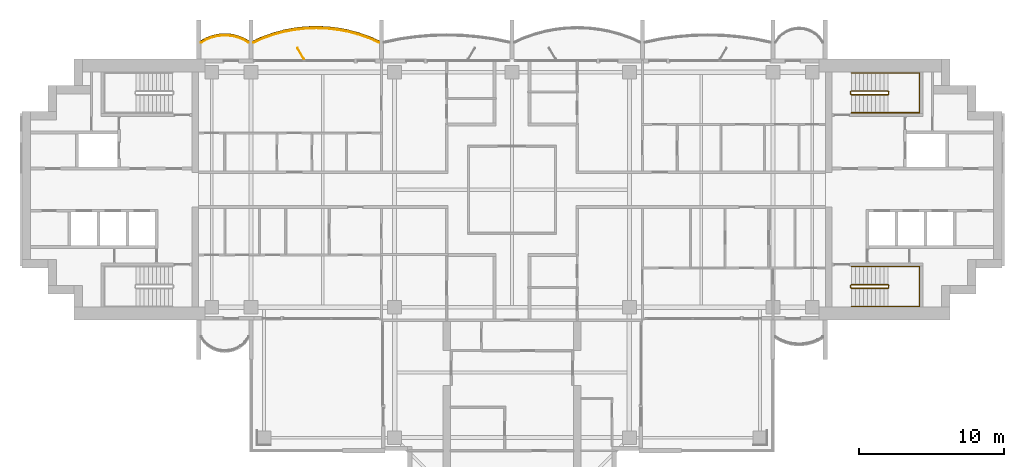
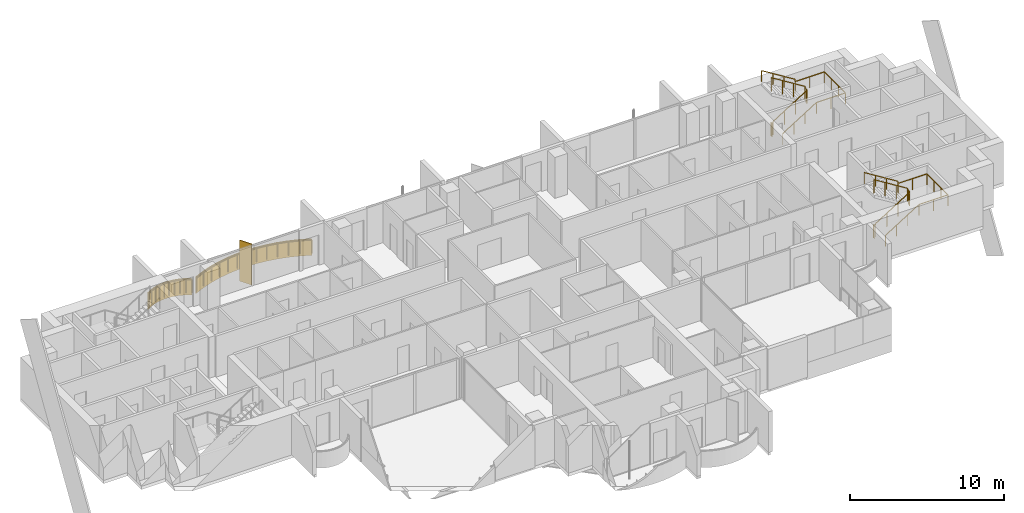
# One storey, part 17 of 18: 6 railings, 2 coverings, 1 shading device.
"""IFC4 building model written with IfcOpenShell, lengths in metres."""

from ifc_helpers import new_model, si_unit, direction, frame, origin, origin_2d, place, context, subcontext, project, spatial, polyline, rectangle, outline, extrude, material, layer, layer_set, type_object, element, save


model = new_model("IFC4")

# Units and contexts
model_context = context("Model", 3, precision=1e-05, world=origin(), true_north=direction((0.0, 1.0)))
body_context = subcontext(model_context, "Body", "Model", "MODEL_VIEW")
ifc_project = project(units=[si_unit("LENGTHUNIT", "METRE"), si_unit("AREAUNIT", "SQUARE_METRE"), si_unit("VOLUMEUNIT", "CUBIC_METRE"), si_unit("PLANEANGLEUNIT", "RADIAN"), si_unit("MASSUNIT", "GRAM", prefix="KILO")], contexts=[model_context])

# Site, building, storey
site_placement = place(None, origin())
site = spatial("IfcSite", under=ifc_project, at=site_placement, CompositionType="ELEMENT")
building_placement = place(site_placement, origin())
building = spatial("IfcBuilding", under=site, at=building_placement, Name="Perihelion Cross Residences", CompositionType="ELEMENT")
storey_placement = place(building_placement, frame((0.0, 0.0, 215.60009765625)))
storey = spatial("IfcBuildingStorey", under=building, at=storey_placement, Name="L54", CompositionType="ELEMENT", Elevation=215.60009765625)

# Coverings
ifc_material_1 = material(Name="Bronze anodised aluminium", Category="aluminium")
ifc_layer_1 = layer(ifc_material_1, 0.070068359375)
ifc_layer_set_1 = layer_set([ifc_layer_1], Name="Balcony fascia 1300")
covering_type = type_object("IfcCoveringType", Name="Balcony fascia 1300", PredefinedType="CLADDING", material=ifc_layer_set_1)
covering_1_placement = place(storey_placement, frame((0.0, 0.0, -0.2001953125)))
element("IfcCovering", 1, at=covering_1_placement, inside=storey, type_object=covering_type, Name="Fascia BF1 L54 west side north bay 1", PredefinedType="CLADDING", context=body_context, shape_type="SweptSolid", body=[
    extrude(outline(polyline([(-9.849365234375, 10.582275390625), (-10.57958984375, 10.83544921875), (-11.309814453125, 11.028076171875), (-12.039794921875, 11.1630859375), (-12.77001953125, 11.243408203125), (-13.5, 11.27001953125), (-14.22998046875, 11.243408203125), (-14.960205078125, 11.1630859375), (-15.690185546875, 11.028076171875), (-16.42041015625, 10.83544921875), (-17.150634765625, 10.582275390625), (-17.85009765625, 10.2763671875), (-17.85009765625, 10.199951171875), (-17.125, 10.51708984375), (-16.39990234375, 10.7685546875), (-15.675048828125, 10.959716796875), (-14.949951171875, 11.093994140625), (-14.22509765625, 11.173583984375), (-13.5, 11.199951171875), (-12.77490234375, 11.173583984375), (-12.050048828125, 11.093994140625), (-11.324951171875, 10.959716796875), (-10.60009765625, 10.7685546875), (-9.875, 10.51708984375), (-9.14990234375, 10.199951171875), (-9.14990234375, 10.2763671875), (-9.849365234375, 10.582275390625)])), origin(), (0.0, 0.0, 1.0), 1.300048828125),
])
covering_2_placement = place(storey_placement, frame((0.0, 0.0, -0.2001953125)))
element("IfcCovering", 2, at=covering_2_placement, inside=storey, type_object=covering_type, Name="Fascia BF1 L54 west side north bay 2", PredefinedType="CLADDING", context=body_context, shape_type="SweptSolid", body=[
    extrude(outline(polyline([(-18.486328125, 10.4716796875), (-18.861572265625, 10.62158203125), (-19.237060546875, 10.717529296875), (-19.6123046875, 10.76416015625), (-19.987548828125, 10.76416015625), (-20.363037109375, 10.717529296875), (-20.73828125, 10.62158203125), (-21.11376953125, 10.4716796875), (-21.449951171875, 10.280517578125), (-21.449951171875, 10.199951171875), (-21.083251953125, 10.40869140625), (-20.716552734375, 10.55517578125), (-20.35009765625, 10.648681640625), (-19.9833984375, 10.6943359375), (-19.61669921875, 10.6943359375), (-19.25, 10.648681640625), (-18.88330078125, 10.55517578125), (-18.5166015625, 10.40869140625), (-18.14990234375, 10.199951171875), (-18.14990234375, 10.280517578125), (-18.486328125, 10.4716796875)])), origin(), (0.0, 0.0, 1.0), 1.300048828125),
])

# Railings
ifc_material_2 = material(Name="Bronze anodised aluminium", Category="aluminium")
railing_type_1 = type_object("IfcRailingType", Name="Balcony guard 1100", PredefinedType="GUARDRAIL", material=ifc_material_2)
railing_1_placement = place(storey_placement, frame((-9.175048828125, 10.139892578125, 0.0)))
element("IfcRailing", 3, at=railing_1_placement, inside=storey, type_object=railing_type_1, Name="Guard GU1 L54 west side north bay 1 balcony", PredefinedType="GUARDRAIL", context=body_context, shape_type="SweptSolid", body=[
    extrude(rectangle(XDim=0.048095703125, YDim=0.048095703125, at=origin_2d()), frame((0.0, 0.0, 1.076171875), z_axis=(-0.910866309087, 0.412701547089, 0.0), x_axis=(-0.412701547089, -0.910866309087, 0.0)), (0.0, 0.0, 1.0), 0.7685546875),
    extrude(rectangle(XDim=0.048095703125, YDim=0.048095703125, at=origin_2d()), frame((-0.699951171875, 0.317138671875, 1.076171875), z_axis=(-0.944796812452, 0.327656807012, 0.0), x_axis=(-0.327656807012, -0.944796812452, 0.0)), (0.0, 0.0, 1.0), 0.767578125),
    extrude(rectangle(XDim=0.048095703125, YDim=0.048095703125, at=origin_2d()), frame((-1.425048828125, 0.568603515625, 1.076171875), z_axis=(-0.966939404945, 0.255006249266, 0.0), x_axis=(-0.255006249266, -0.966939404945, 0.0)), (0.0, 0.0, 1.0), 0.749755859375),
    extrude(rectangle(XDim=0.048095703125, YDim=0.048095703125, at=origin_2d()), frame((-2.14990234375, 0.759765625, 1.076171875), z_axis=(-0.983282004984, 0.182089260182, 0.0), x_axis=(-0.182089260182, -0.983282004984, 0.0)), (0.0, 0.0, 1.0), 0.7373046875),
    extrude(rectangle(XDim=0.048095703125, YDim=0.048095703125, at=origin_2d()), frame((-2.875, 0.89404296875, 1.076171875), z_axis=(-0.994025805622, 0.109145305703, 0.0), x_axis=(-0.109145305703, -0.994025805622, 0.0)), (0.0, 0.0, 1.0), 0.729248046875),
    extrude(rectangle(XDim=0.048095703125, YDim=0.048095703125, at=origin_2d()), frame((-3.599853515625, 0.9736328125, 1.076171875), z_axis=(-0.999339497946, 0.036339618107, 0.0), x_axis=(-0.036339618107, -0.999339497946, 0.0)), (0.0, 0.0, 1.0), 0.7255859375),
    extrude(rectangle(XDim=0.048095703125, YDim=0.048095703125, at=origin_2d()), frame((-4.324951171875, 1.0, 1.076171875), z_axis=(-0.999339497946, -0.036339618107, 0.0), x_axis=(0.036339618107, -0.999339497946, 0.0)), (0.0, 0.0, 1.0), 0.7255859375),
    extrude(rectangle(XDim=0.048095703125, YDim=0.048095703125, at=origin_2d()), frame((-5.050048828125, 0.9736328125, 1.076171875), z_axis=(-0.994025805622, -0.109145305703, 0.0), x_axis=(0.109145305703, -0.994025805622, 0.0)), (0.0, 0.0, 1.0), 0.729248046875),
    extrude(rectangle(XDim=0.048095703125, YDim=0.048095703125, at=origin_2d()), frame((-5.77490234375, 0.89404296875, 1.076171875), z_axis=(-0.983282004984, -0.182089260182, 0.0), x_axis=(0.182089260182, -0.983282004984, 0.0)), (0.0, 0.0, 1.0), 0.7373046875),
    extrude(rectangle(XDim=0.048095703125, YDim=0.048095703125, at=origin_2d()), frame((-6.5, 0.759765625, 1.076171875), z_axis=(-0.966939404945, -0.255006249266, 0.0), x_axis=(0.255006249266, -0.966939404945, 0.0)), (0.0, 0.0, 1.0), 0.749755859375),
    extrude(rectangle(XDim=0.048095703125, YDim=0.048095703125, at=origin_2d()), frame((-7.224853515625, 0.568603515625, 1.076171875), z_axis=(-0.944796812452, -0.327656807012, 0.0), x_axis=(0.327656807012, -0.944796812452, 0.0)), (0.0, 0.0, 1.0), 0.767578125),
    extrude(rectangle(XDim=0.048095703125, YDim=0.048095703125, at=origin_2d()), frame((-7.949951171875, 0.317138671875, 1.076171875), z_axis=(-0.910866309087, -0.412701547089, 0.0), x_axis=(0.412701547089, -0.910866309087, 0.0)), (0.0, 0.0, 1.0), 0.7685546875),
    extrude(rectangle(XDim=0.0419921875, YDim=0.0419921875, at=origin_2d()), origin(), (0.0, 0.0, 1.0), 1.052001953125),
    extrude(rectangle(XDim=0.0419921875, YDim=0.0419921875, at=origin_2d()), frame((-0.699951171875, 0.317138671875, 0.0)), (0.0, 0.0, 1.0), 1.052001953125),
    extrude(rectangle(XDim=0.0419921875, YDim=0.0419921875, at=origin_2d()), frame((-1.425048828125, 0.568603515625, 0.0)), (0.0, 0.0, 1.0), 1.052001953125),
    extrude(rectangle(XDim=0.0419921875, YDim=0.0419921875, at=origin_2d()), frame((-2.14990234375, 0.759765625, 0.0)), (0.0, 0.0, 1.0), 1.052001953125),
    extrude(rectangle(XDim=0.0419921875, YDim=0.0419921875, at=origin_2d()), frame((-2.875, 0.89404296875, 0.0)), (0.0, 0.0, 1.0), 1.052001953125),
    extrude(rectangle(XDim=0.0419921875, YDim=0.0419921875, at=origin_2d()), frame((-3.599853515625, 0.9736328125, 0.0)), (0.0, 0.0, 1.0), 1.052001953125),
    extrude(rectangle(XDim=0.0419921875, YDim=0.0419921875, at=origin_2d()), frame((-4.324951171875, 1.0, 0.0)), (0.0, 0.0, 1.0), 1.052001953125),
    extrude(rectangle(XDim=0.0419921875, YDim=0.0419921875, at=origin_2d()), frame((-5.050048828125, 0.9736328125, 0.0)), (0.0, 0.0, 1.0), 1.052001953125),
    extrude(rectangle(XDim=0.0419921875, YDim=0.0419921875, at=origin_2d()), frame((-5.77490234375, 0.89404296875, 0.0)), (0.0, 0.0, 1.0), 1.052001953125),
    extrude(rectangle(XDim=0.0419921875, YDim=0.0419921875, at=origin_2d()), frame((-6.5, 0.759765625, 0.0)), (0.0, 0.0, 1.0), 1.052001953125),
    extrude(rectangle(XDim=0.0419921875, YDim=0.0419921875, at=origin_2d()), frame((-7.224853515625, 0.568603515625, 0.0)), (0.0, 0.0, 1.0), 1.052001953125),
    extrude(rectangle(XDim=0.0419921875, YDim=0.0419921875, at=origin_2d()), frame((-7.949951171875, 0.317138671875, 0.0)), (0.0, 0.0, 1.0), 1.052001953125),
    extrude(rectangle(XDim=0.0419921875, YDim=0.0419921875, at=origin_2d()), frame((-8.64990234375, 0.0, 0.0)), (0.0, 0.0, 1.0), 1.052001953125),
])
railing_2_placement = place(storey_placement, frame((-18.175048828125, 10.139892578125, 0.0)))
element("IfcRailing", 4, at=railing_2_placement, inside=storey, type_object=railing_type_1, Name="Guard GU1 L54 west side north bay 2 balcony", PredefinedType="GUARDRAIL", context=body_context, shape_type="SweptSolid", body=[
    extrude(rectangle(XDim=0.048095703125, YDim=0.048095703125, at=origin_2d()), frame((0.0, 0.0, 1.076171875), z_axis=(-0.853266756821, 0.52147467983, 0.0), x_axis=(-0.52147467983, -0.853266756821, 0.0)), (0.0, 0.0, 1.0), 0.400390625),
    extrude(rectangle(XDim=0.048095703125, YDim=0.048095703125, at=origin_2d()), frame((-0.341552734375, 0.208740234375, 1.076171875), z_axis=(-0.928647151248, 0.37096424151, 0.0), x_axis=(-0.37096424151, -0.928647151248, 0.0)), (0.0, 0.0, 1.0), 0.394775390625),
    extrude(rectangle(XDim=0.048095703125, YDim=0.048095703125, at=origin_2d()), frame((-0.708251953125, 0.355224609375, 1.076171875), z_axis=(-0.968993337782, 0.247086849781, 0.0), x_axis=(-0.247086849781, -0.968993337782, 0.0)), (0.0, 0.0, 1.0), 0.37841796875),
    extrude(rectangle(XDim=0.048095703125, YDim=0.048095703125, at=origin_2d()), frame((-1.074951171875, 0.44873046875, 1.076171875), z_axis=(-0.992338742457, 0.123546834114, 0.0), x_axis=(-0.123546834114, -0.992338742457, 0.0)), (0.0, 0.0, 1.0), 0.36962890625),
    extrude(rectangle(XDim=0.048095703125, YDim=0.048095703125, at=origin_2d()), frame((-1.441650390625, 0.494384765625, 1.076171875), z_axis=(-1.0, 0.0, 0.0), x_axis=(0.0, -1.0, 0.0)), (0.0, 0.0, 1.0), 0.36669921875),
    extrude(rectangle(XDim=0.048095703125, YDim=0.048095703125, at=origin_2d()), frame((-1.808349609375, 0.494384765625, 1.076171875), z_axis=(-0.992338742457, -0.123546834114, 0.0), x_axis=(0.123546834114, -0.992338742457, 0.0)), (0.0, 0.0, 1.0), 0.36962890625),
    extrude(rectangle(XDim=0.048095703125, YDim=0.048095703125, at=origin_2d()), frame((-2.175048828125, 0.44873046875, 1.076171875), z_axis=(-0.968953914071, -0.247241405123, 0.0), x_axis=(0.247241405123, -0.968953914071, 0.0)), (0.0, 0.0, 1.0), 0.378173828125),
    extrude(rectangle(XDim=0.048095703125, YDim=0.048095703125, at=origin_2d()), frame((-2.54150390625, 0.355224609375, 1.076171875), z_axis=(-0.928647151248, -0.37096424151, 0.0), x_axis=(0.37096424151, -0.928647151248, 0.0)), (0.0, 0.0, 1.0), 0.394775390625),
    extrude(rectangle(XDim=0.048095703125, YDim=0.048095703125, at=origin_2d()), frame((-2.908203125, 0.208740234375, 1.076171875), z_axis=(-0.853432484338, -0.521203410078, 0.0), x_axis=(0.521203410078, -0.853432484338, 0.0)), (0.0, 0.0, 1.0), 0.400390625),
    extrude(rectangle(XDim=0.0419921875, YDim=0.0419921875, at=origin_2d()), origin(), (0.0, 0.0, 1.0), 1.052001953125),
    extrude(rectangle(XDim=0.0419921875, YDim=0.0419921875, at=origin_2d()), frame((-0.341552734375, 0.208740234375, 0.0)), (0.0, 0.0, 1.0), 1.052001953125),
    extrude(rectangle(XDim=0.0419921875, YDim=0.0419921875, at=origin_2d()), frame((-0.708251953125, 0.355224609375, 0.0)), (0.0, 0.0, 1.0), 1.052001953125),
    extrude(rectangle(XDim=0.0419921875, YDim=0.0419921875, at=origin_2d()), frame((-1.074951171875, 0.44873046875, 0.0)), (0.0, 0.0, 1.0), 1.052001953125),
    extrude(rectangle(XDim=0.0419921875, YDim=0.0419921875, at=origin_2d()), frame((-1.441650390625, 0.494384765625, 0.0)), (0.0, 0.0, 1.0), 1.052001953125),
    extrude(rectangle(XDim=0.0419921875, YDim=0.0419921875, at=origin_2d()), frame((-1.808349609375, 0.494384765625, 0.0)), (0.0, 0.0, 1.0), 1.052001953125),
    extrude(rectangle(XDim=0.0419921875, YDim=0.0419921875, at=origin_2d()), frame((-2.175048828125, 0.44873046875, 0.0)), (0.0, 0.0, 1.0), 1.052001953125),
    extrude(rectangle(XDim=0.0419921875, YDim=0.0419921875, at=origin_2d()), frame((-2.54150390625, 0.355224609375, 0.0)), (0.0, 0.0, 1.0), 1.052001953125),
    extrude(rectangle(XDim=0.0419921875, YDim=0.0419921875, at=origin_2d()), frame((-2.908203125, 0.208740234375, 0.0)), (0.0, 0.0, 1.0), 1.052001953125),
    extrude(rectangle(XDim=0.0419921875, YDim=0.0419921875, at=origin_2d()), frame((-3.25, 0.0, 0.0)), (0.0, 0.0, 1.0), 1.052001953125),
])

# Shading device
ifc_material_3 = material(Name="Bronze anodised aluminium", Category="aluminium")
ifc_layer_2 = layer(ifc_material_3, 0.050048828125)
ifc_layer_set_2 = layer_set([ifc_layer_2], Name="Bronze fin 900")
shading_device_type = type_object("IfcShadingDeviceType", Name="Bronze fin 900", PredefinedType="USERDEFINED", material=ifc_layer_set_2)
shading_device_placement = place(storey_placement, frame((-14.574951171875, 9.3896484375, 0.0), z_axis=(0.0, 0.0, 1.0), x_axis=(-0.5, 0.866025403784, 0.0)))
element("IfcShadingDevice", 5, at=shading_device_placement, inside=storey, type_object=shading_device_type, Name="Fin FN1 L54 west side north bay 1", ObjectType="FIN", PredefinedType="USERDEFINED", context=body_context, shape_type="SweptSolid", body=[
    extrude(rectangle(XDim=0.89990234375, YDim=0.050048828125, at=origin_2d()), origin(), (0.0, 0.0, 1.0), 3.25),
])

# Railings
ifc_material_4 = material(Name="Stainless steel", Category="steel")
railing_type_2 = type_object("IfcRailingType", Name="Stair guard 1100", PredefinedType="GUARDRAIL", material=ifc_material_4)
railing_3_placement = place(storey_placement, frame((23.35009765625, 6.75, 0.0)))
element("IfcRailing", 6, at=railing_3_placement, inside=storey, type_object=railing_type_2, Name="L54 ST-E1 stair guard 1", PredefinedType="GUARDRAIL", context=body_context, shape_type="SweptSolid", body=[
    extrude(rectangle(XDim=0.048095703125, YDim=0.048095703125, at=origin_2d()), frame((0.0, 0.0, 1.076171875), z_axis=(0.0, -1.0, 0.0), x_axis=(1.0, 0.0, 0.0)), (0.0, 0.0, 1.0), 0.14990234375),
    extrude(rectangle(XDim=0.048095703125, YDim=0.048095703125, at=origin_2d()), frame((0.0, -0.14990234375, 1.076171875), z_axis=(0.264179342666, -0.265474339444, 0.927217692888), x_axis=(0.708833529934, 0.705375805398, 0.0)), (0.0, 0.0, 1.0), 0.1884765625),
    extrude(rectangle(XDim=0.048095703125, YDim=0.048095703125, at=origin_2d()), frame((0.0498046875, -0.199951171875, 1.2509765625), z_axis=(0.847970611238, 0.0, 0.530043245855), x_axis=(0.0, 1.0, 0.0)), (0.0, 0.0, 1.0), 2.971923828125),
    extrude(rectangle(XDim=0.048095703125, YDim=0.048095703125, at=origin_2d()), frame((2.56982421875, -0.199951171875, 2.826171875), z_axis=(0.707106781187, 0.707106781187, 0.0), x_axis=(-0.707106781187, 0.707106781187, 0.0)), (0.0, 0.0, 1.0), 0.07080078125),
    extrude(rectangle(XDim=0.048095703125, YDim=0.048095703125, at=origin_2d()), frame((2.619873046875, -0.14990234375, 2.826171875), z_axis=(0.0, 1.0, 0.0), x_axis=(-1.0, 0.0, 0.0)), (0.0, 0.0, 1.0), 0.14990234375),
    extrude(rectangle(XDim=0.048095703125, YDim=0.048095703125, at=origin_2d()), frame((2.619873046875, 0.0, 2.826171875), z_axis=(-0.265383341853, 0.265383341853, 0.926899867156), x_axis=(-0.707106781187, -0.707106781187, 0.0)), (0.0, 0.0, 1.0), 0.1884765625),
    extrude(rectangle(XDim=0.048095703125, YDim=0.048095703125, at=origin_2d()), frame((2.56982421875, 0.050048828125, 3.0009765625), z_axis=(-0.847970611238, 0.0, 0.530043245855), x_axis=(0.0, -1.0, 0.0)), (0.0, 0.0, 1.0), 2.971923828125),
    extrude(rectangle(XDim=0.0419921875, YDim=0.0419921875, at=origin_2d()), origin(), (0.0, 0.0, 1.0), 1.052001953125),
    extrude(rectangle(XDim=0.0419921875, YDim=0.0419921875, at=origin_2d()), frame((0.0, -0.14990234375, 0.0)), (0.0, 0.0, 1.0), 1.052001953125),
    extrude(rectangle(XDim=0.0419921875, YDim=0.0419921875, at=origin_2d()), frame((0.0498046875, -0.199951171875, 0.1748046875)), (0.0, 0.0, 1.0), 1.052001953125),
    extrude(rectangle(XDim=0.0419921875, YDim=0.0419921875, at=origin_2d()), frame((0.889892578125, -0.199951171875, 0.699951171875)), (0.0, 0.0, 1.0), 1.052001953125),
    extrude(rectangle(XDim=0.0419921875, YDim=0.0419921875, at=origin_2d()), frame((1.729736328125, -0.199951171875, 1.224853515625)), (0.0, 0.0, 1.0), 1.052001953125),
    extrude(rectangle(XDim=0.0419921875, YDim=0.0419921875, at=origin_2d()), frame((2.56982421875, -0.199951171875, 1.75)), (0.0, 0.0, 1.0), 1.052001953125),
    extrude(rectangle(XDim=0.0419921875, YDim=0.0419921875, at=origin_2d()), frame((2.619873046875, -0.14990234375, 1.75)), (0.0, 0.0, 1.0), 1.052001953125),
    extrude(rectangle(XDim=0.0419921875, YDim=0.0419921875, at=origin_2d()), frame((2.619873046875, 0.0, 1.75)), (0.0, 0.0, 1.0), 1.052001953125),
    extrude(rectangle(XDim=0.0419921875, YDim=0.0419921875, at=origin_2d()), frame((2.56982421875, 0.050048828125, 1.9248046875)), (0.0, 0.0, 1.0), 1.052001953125),
    extrude(rectangle(XDim=0.0419921875, YDim=0.0419921875, at=origin_2d()), frame((1.729736328125, 0.050048828125, 2.449951171875)), (0.0, 0.0, 1.0), 1.052001953125),
    extrude(rectangle(XDim=0.0419921875, YDim=0.0419921875, at=origin_2d()), frame((0.889892578125, 0.050048828125, 2.974853515625)), (0.0, 0.0, 1.0), 1.052001953125),
    extrude(rectangle(XDim=0.0419921875, YDim=0.0419921875, at=origin_2d()), frame((0.0498046875, 0.050048828125, 3.5)), (0.0, 0.0, 1.0), 1.052001953125),
])
railing_4_placement = place(storey_placement, frame((23.35009765625, -6.60009765625, 0.0)))
element("IfcRailing", 7, at=railing_4_placement, inside=storey, type_object=railing_type_2, Name="L54 ST-E2 stair guard 1", PredefinedType="GUARDRAIL", context=body_context, shape_type="SweptSolid", body=[
    extrude(rectangle(XDim=0.048095703125, YDim=0.048095703125, at=origin_2d()), frame((0.0, 0.0, 1.076171875), z_axis=(0.0, -1.0, 0.0), x_axis=(1.0, 0.0, 0.0)), (0.0, 0.0, 1.0), 0.14990234375),
    extrude(rectangle(XDim=0.048095703125, YDim=0.048095703125, at=origin_2d()), frame((0.0, -0.14990234375, 1.076171875), z_axis=(0.264179342666, -0.265474339444, 0.927217692888), x_axis=(0.708833529934, 0.705375805398, 0.0)), (0.0, 0.0, 1.0), 0.1884765625),
    extrude(rectangle(XDim=0.048095703125, YDim=0.048095703125, at=origin_2d()), frame((0.0498046875, -0.199951171875, 1.2509765625), z_axis=(0.847970611238, 0.0, 0.530043245855), x_axis=(0.0, 1.0, 0.0)), (0.0, 0.0, 1.0), 2.971923828125),
    extrude(rectangle(XDim=0.048095703125, YDim=0.048095703125, at=origin_2d()), frame((2.56982421875, -0.199951171875, 2.826171875), z_axis=(0.707106781187, 0.707106781187, 0.0), x_axis=(-0.707106781187, 0.707106781187, 0.0)), (0.0, 0.0, 1.0), 0.07080078125),
    extrude(rectangle(XDim=0.048095703125, YDim=0.048095703125, at=origin_2d()), frame((2.619873046875, -0.14990234375, 2.826171875), z_axis=(0.0, 1.0, 0.0), x_axis=(-1.0, 0.0, 0.0)), (0.0, 0.0, 1.0), 0.14990234375),
    extrude(rectangle(XDim=0.048095703125, YDim=0.048095703125, at=origin_2d()), frame((2.619873046875, 0.0, 2.826171875), z_axis=(-0.265383341853, 0.265383341853, 0.926899867156), x_axis=(-0.707106781187, -0.707106781187, 0.0)), (0.0, 0.0, 1.0), 0.1884765625),
    extrude(rectangle(XDim=0.048095703125, YDim=0.048095703125, at=origin_2d()), frame((2.56982421875, 0.050048828125, 3.0009765625), z_axis=(-0.847970611238, 0.0, 0.530043245855), x_axis=(0.0, -1.0, 0.0)), (0.0, 0.0, 1.0), 2.971923828125),
    extrude(rectangle(XDim=0.0419921875, YDim=0.0419921875, at=origin_2d()), origin(), (0.0, 0.0, 1.0), 1.052001953125),
    extrude(rectangle(XDim=0.0419921875, YDim=0.0419921875, at=origin_2d()), frame((0.0, -0.14990234375, 0.0)), (0.0, 0.0, 1.0), 1.052001953125),
    extrude(rectangle(XDim=0.0419921875, YDim=0.0419921875, at=origin_2d()), frame((0.0498046875, -0.199951171875, 0.1748046875)), (0.0, 0.0, 1.0), 1.052001953125),
    extrude(rectangle(XDim=0.0419921875, YDim=0.0419921875, at=origin_2d()), frame((0.889892578125, -0.199951171875, 0.699951171875)), (0.0, 0.0, 1.0), 1.052001953125),
    extrude(rectangle(XDim=0.0419921875, YDim=0.0419921875, at=origin_2d()), frame((1.729736328125, -0.199951171875, 1.224853515625)), (0.0, 0.0, 1.0), 1.052001953125),
    extrude(rectangle(XDim=0.0419921875, YDim=0.0419921875, at=origin_2d()), frame((2.56982421875, -0.199951171875, 1.75)), (0.0, 0.0, 1.0), 1.052001953125),
    extrude(rectangle(XDim=0.0419921875, YDim=0.0419921875, at=origin_2d()), frame((2.619873046875, -0.14990234375, 1.75)), (0.0, 0.0, 1.0), 1.052001953125),
    extrude(rectangle(XDim=0.0419921875, YDim=0.0419921875, at=origin_2d()), frame((2.619873046875, 0.0, 1.75)), (0.0, 0.0, 1.0), 1.052001953125),
    extrude(rectangle(XDim=0.0419921875, YDim=0.0419921875, at=origin_2d()), frame((2.56982421875, 0.050048828125, 1.9248046875)), (0.0, 0.0, 1.0), 1.052001953125),
    extrude(rectangle(XDim=0.0419921875, YDim=0.0419921875, at=origin_2d()), frame((1.729736328125, 0.050048828125, 2.449951171875)), (0.0, 0.0, 1.0), 1.052001953125),
    extrude(rectangle(XDim=0.0419921875, YDim=0.0419921875, at=origin_2d()), frame((0.889892578125, 0.050048828125, 2.974853515625)), (0.0, 0.0, 1.0), 1.052001953125),
    extrude(rectangle(XDim=0.0419921875, YDim=0.0419921875, at=origin_2d()), frame((0.0498046875, 0.050048828125, 3.5)), (0.0, 0.0, 1.0), 1.052001953125),
])
ifc_material_5 = material(Name="Stainless steel", Category="steel")
railing_type_3 = type_object("IfcRailingType", Name="Stair handrail 900", PredefinedType="HANDRAIL", material=ifc_material_5)
railing_5_placement = place(storey_placement, frame((23.39990234375, 5.300048828125, 0.1748046875)))
element("IfcRailing", 8, at=railing_5_placement, inside=storey, type_object=railing_type_3, Name="L54 ST-E1 stair handrail 1", PredefinedType="HANDRAIL", context=body_context, shape_type="SweptSolid", body=[
    extrude(rectangle(XDim=0.048095703125, YDim=0.048095703125, at=origin_2d()), frame((0.0, 0.0, 0.8759765625), z_axis=(0.847970611238, 0.0, 0.530043245855), x_axis=(0.0, 1.0, 0.0)), (0.0, 0.0, 1.0), 2.971923828125),
    extrude(rectangle(XDim=0.048095703125, YDim=0.048095703125, at=origin_2d()), frame((2.52001953125, 0.0, 2.451171875), z_axis=(1.0, 0.0, 0.0), x_axis=(0.0, 1.0, 0.0)), (0.0, 0.0, 1.0), 2.18017578125),
    extrude(rectangle(XDim=0.048095703125, YDim=0.048095703125, at=origin_2d()), frame((4.7001953125, 0.0, 2.451171875), z_axis=(0.0, 1.0, 0.0), x_axis=(-1.0, 0.0, 0.0)), (0.0, 0.0, 1.0), 2.75),
    extrude(rectangle(XDim=0.048095703125, YDim=0.048095703125, at=origin_2d()), frame((4.7001953125, 2.75, 2.451171875), z_axis=(-1.0, 0.0, 0.0), x_axis=(0.0, -1.0, 0.0)), (0.0, 0.0, 1.0), 2.18017578125),
    extrude(rectangle(XDim=0.048095703125, YDim=0.048095703125, at=origin_2d()), frame((2.52001953125, 2.75, 2.451171875), z_axis=(0.0, 0.0, 1.0), x_axis=(1.0, 0.0, 0.0)), (0.0, 0.0, 1.0), 0.1748046875),
    extrude(rectangle(XDim=0.048095703125, YDim=0.048095703125, at=origin_2d()), frame((2.52001953125, 2.75, 2.6259765625), z_axis=(-0.847970611238, 0.0, 0.530043245855), x_axis=(0.0, -1.0, 0.0)), (0.0, 0.0, 1.0), 2.971923828125),
    extrude(rectangle(XDim=0.0419921875, YDim=0.0419921875, at=origin_2d()), origin(), (0.0, 0.0, 1.0), 0.851806640625),
    extrude(rectangle(XDim=0.0419921875, YDim=0.0419921875, at=origin_2d()), frame((0.840087890625, 0.0, 0.525146484375)), (0.0, 0.0, 1.0), 0.851806640625),
    extrude(rectangle(XDim=0.0419921875, YDim=0.0419921875, at=origin_2d()), frame((1.679931640625, 0.0, 1.050048828125)), (0.0, 0.0, 1.0), 0.851806640625),
    extrude(rectangle(XDim=0.0419921875, YDim=0.0419921875, at=origin_2d()), frame((2.52001953125, 0.0, 1.5751953125)), (0.0, 0.0, 1.0), 0.851806640625),
    extrude(rectangle(XDim=0.0419921875, YDim=0.0419921875, at=origin_2d()), frame((3.610107421875, 0.0, 1.5751953125)), (0.0, 0.0, 1.0), 0.851806640625),
    extrude(rectangle(XDim=0.0419921875, YDim=0.0419921875, at=origin_2d()), frame((4.7001953125, 0.0, 1.5751953125)), (0.0, 0.0, 1.0), 0.851806640625),
    extrude(rectangle(XDim=0.0419921875, YDim=0.0419921875, at=origin_2d()), frame((4.7001953125, 0.916748046875, 1.5751953125)), (0.0, 0.0, 1.0), 0.851806640625),
    extrude(rectangle(XDim=0.0419921875, YDim=0.0419921875, at=origin_2d()), frame((4.7001953125, 1.833251953125, 1.5751953125)), (0.0, 0.0, 1.0), 0.851806640625),
    extrude(rectangle(XDim=0.0419921875, YDim=0.0419921875, at=origin_2d()), frame((4.7001953125, 2.75, 1.5751953125)), (0.0, 0.0, 1.0), 0.851806640625),
    extrude(rectangle(XDim=0.0419921875, YDim=0.0419921875, at=origin_2d()), frame((3.610107421875, 2.75, 1.5751953125)), (0.0, 0.0, 1.0), 0.851806640625),
    extrude(rectangle(XDim=0.0419921875, YDim=0.0419921875, at=origin_2d()), frame((2.52001953125, 2.75, 1.5751953125)), (0.0, 0.0, 1.0), 0.851806640625),
    extrude(rectangle(XDim=0.0419921875, YDim=0.0419921875, at=origin_2d()), frame((2.52001953125, 2.75, 1.75)), (0.0, 0.0, 1.0), 0.851806640625),
    extrude(rectangle(XDim=0.0419921875, YDim=0.0419921875, at=origin_2d()), frame((1.679931640625, 2.75, 2.275146484375)), (0.0, 0.0, 1.0), 0.851806640625),
    extrude(rectangle(XDim=0.0419921875, YDim=0.0419921875, at=origin_2d()), frame((0.840087890625, 2.75, 2.800048828125)), (0.0, 0.0, 1.0), 0.851806640625),
    extrude(rectangle(XDim=0.0419921875, YDim=0.0419921875, at=origin_2d()), frame((0.0, 2.75, 3.3251953125)), (0.0, 0.0, 1.0), 0.851806640625),
])
railing_6_placement = place(storey_placement, frame((23.39990234375, -8.050048828125, 0.1748046875)))
element("IfcRailing", 9, at=railing_6_placement, inside=storey, type_object=railing_type_3, Name="L54 ST-E2 stair handrail 1", PredefinedType="HANDRAIL", context=body_context, shape_type="SweptSolid", body=[
    extrude(rectangle(XDim=0.048095703125, YDim=0.048095703125, at=origin_2d()), frame((0.0, 0.0, 0.8759765625), z_axis=(0.847970611238, 0.0, 0.530043245855), x_axis=(0.0, 1.0, 0.0)), (0.0, 0.0, 1.0), 2.971923828125),
    extrude(rectangle(XDim=0.048095703125, YDim=0.048095703125, at=origin_2d()), frame((2.52001953125, 0.0, 2.451171875), z_axis=(1.0, 0.0, 0.0), x_axis=(0.0, 1.0, 0.0)), (0.0, 0.0, 1.0), 2.18017578125),
    extrude(rectangle(XDim=0.048095703125, YDim=0.048095703125, at=origin_2d()), frame((4.7001953125, 0.0, 2.451171875), z_axis=(0.0, 1.0, 0.0), x_axis=(-1.0, 0.0, 0.0)), (0.0, 0.0, 1.0), 2.75),
    extrude(rectangle(XDim=0.048095703125, YDim=0.048095703125, at=origin_2d()), frame((4.7001953125, 2.75, 2.451171875), z_axis=(-1.0, 0.0, 0.0), x_axis=(0.0, -1.0, 0.0)), (0.0, 0.0, 1.0), 2.18017578125),
    extrude(rectangle(XDim=0.048095703125, YDim=0.048095703125, at=origin_2d()), frame((2.52001953125, 2.75, 2.451171875), z_axis=(0.0, 0.0, 1.0), x_axis=(1.0, 0.0, 0.0)), (0.0, 0.0, 1.0), 0.1748046875),
    extrude(rectangle(XDim=0.048095703125, YDim=0.048095703125, at=origin_2d()), frame((2.52001953125, 2.75, 2.6259765625), z_axis=(-0.847970611238, 0.0, 0.530043245855), x_axis=(0.0, -1.0, 0.0)), (0.0, 0.0, 1.0), 2.971923828125),
    extrude(rectangle(XDim=0.0419921875, YDim=0.0419921875, at=origin_2d()), origin(), (0.0, 0.0, 1.0), 0.851806640625),
    extrude(rectangle(XDim=0.0419921875, YDim=0.0419921875, at=origin_2d()), frame((0.840087890625, 0.0, 0.525146484375)), (0.0, 0.0, 1.0), 0.851806640625),
    extrude(rectangle(XDim=0.0419921875, YDim=0.0419921875, at=origin_2d()), frame((1.679931640625, 0.0, 1.050048828125)), (0.0, 0.0, 1.0), 0.851806640625),
    extrude(rectangle(XDim=0.0419921875, YDim=0.0419921875, at=origin_2d()), frame((2.52001953125, 0.0, 1.5751953125)), (0.0, 0.0, 1.0), 0.851806640625),
    extrude(rectangle(XDim=0.0419921875, YDim=0.0419921875, at=origin_2d()), frame((3.610107421875, 0.0, 1.5751953125)), (0.0, 0.0, 1.0), 0.851806640625),
    extrude(rectangle(XDim=0.0419921875, YDim=0.0419921875, at=origin_2d()), frame((4.7001953125, 0.0, 1.5751953125)), (0.0, 0.0, 1.0), 0.851806640625),
    extrude(rectangle(XDim=0.0419921875, YDim=0.0419921875, at=origin_2d()), frame((4.7001953125, 0.916748046875, 1.5751953125)), (0.0, 0.0, 1.0), 0.851806640625),
    extrude(rectangle(XDim=0.0419921875, YDim=0.0419921875, at=origin_2d()), frame((4.7001953125, 1.833251953125, 1.5751953125)), (0.0, 0.0, 1.0), 0.851806640625),
    extrude(rectangle(XDim=0.0419921875, YDim=0.0419921875, at=origin_2d()), frame((4.7001953125, 2.75, 1.5751953125)), (0.0, 0.0, 1.0), 0.851806640625),
    extrude(rectangle(XDim=0.0419921875, YDim=0.0419921875, at=origin_2d()), frame((3.610107421875, 2.75, 1.5751953125)), (0.0, 0.0, 1.0), 0.851806640625),
    extrude(rectangle(XDim=0.0419921875, YDim=0.0419921875, at=origin_2d()), frame((2.52001953125, 2.75, 1.5751953125)), (0.0, 0.0, 1.0), 0.851806640625),
    extrude(rectangle(XDim=0.0419921875, YDim=0.0419921875, at=origin_2d()), frame((2.52001953125, 2.75, 1.75)), (0.0, 0.0, 1.0), 0.851806640625),
    extrude(rectangle(XDim=0.0419921875, YDim=0.0419921875, at=origin_2d()), frame((1.679931640625, 2.75, 2.275146484375)), (0.0, 0.0, 1.0), 0.851806640625),
    extrude(rectangle(XDim=0.0419921875, YDim=0.0419921875, at=origin_2d()), frame((0.840087890625, 2.75, 2.800048828125)), (0.0, 0.0, 1.0), 0.851806640625),
    extrude(rectangle(XDim=0.0419921875, YDim=0.0419921875, at=origin_2d()), frame((0.0, 2.75, 3.3251953125)), (0.0, 0.0, 1.0), 0.851806640625),
])

save(model, "model.ifc")
